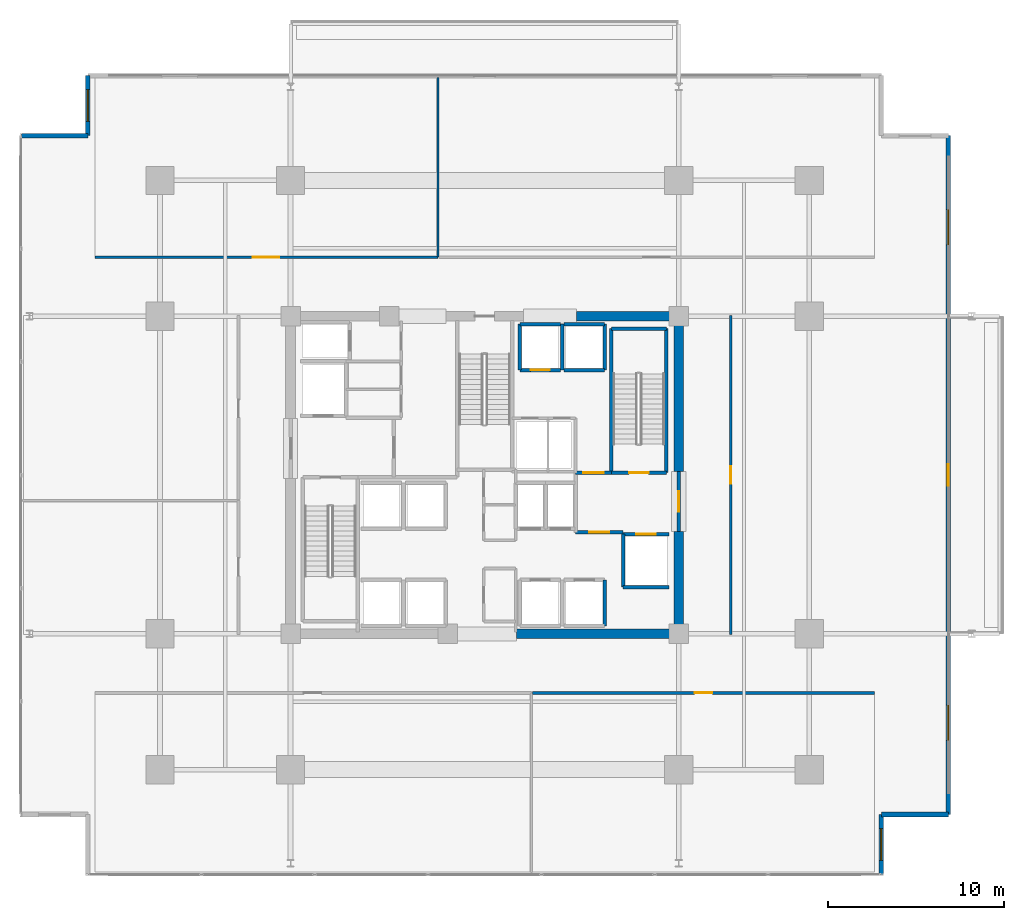
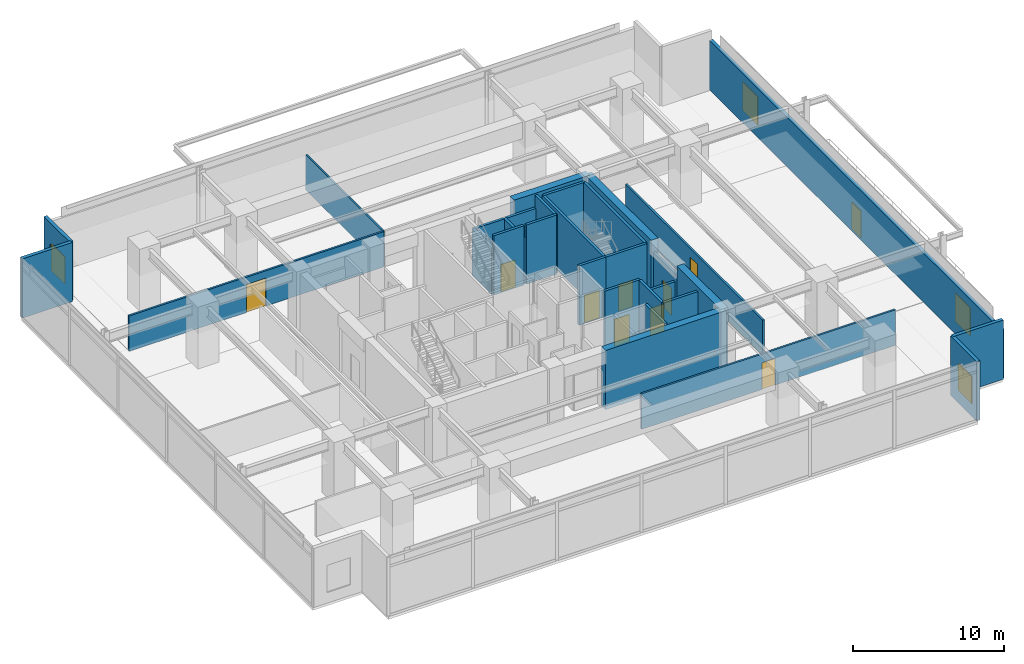
# One storey, part 14 of 20: 31 walls, 10 doors, 4 windows, 14 openings.
"""IFC4 building model written with IfcOpenShell, lengths in metres."""

import ifcopenshell
import ifcopenshell.guid

model = None  # the IFC model being written
_history = None  # IfcOwnerHistory: only IFC2X3 demands one
_inside = {}  # id of a spatial element -> (the spatial element, [elements in it])
_under = {}  # id of a project, library or spatial element -> (it, [spatial elements below it])
_declared = {}  # id of a project -> (the project, [libraries it declares])
_typed = {}  # id of a type object -> (the type object, [elements of that type])
_made_of = {}  # id of a material, layer set ... -> (it, [elements and type objects made of it])


def new_model(schema):
    """Start an empty IFC model of exactly this schema.

    Asked for "IFC4X3", IfcOpenShell would pick the latest addendum, in which some entities
    have other attributes; the version numbers below select the first issue.
    IFC2X3 requires an IfcOwnerHistory on every rooted entity: one is made here for all.
    """
    global model, _history
    if schema == "IFC4X3":
        model = ifcopenshell.file(schema_version=(4, 3, 0, 0))
    else:
        model = ifcopenshell.file(schema=schema)
    _inside.clear()
    _under.clear()
    _declared.clear()
    _typed.clear()
    _made_of.clear()
    _history = None
    if model.schema == "IFC2X3":
        org = make("IfcOrganization", Name="unknown")
        user = make(
            "IfcPersonAndOrganization",
            ThePerson=make("IfcPerson", FamilyName="unknown"),
            TheOrganization=org,
        )
        app = make(
            "IfcApplication",
            ApplicationDeveloper=org,
            Version="unknown",
            ApplicationFullName="unknown",
            ApplicationIdentifier="unknown",
        )
        _history = make(
            "IfcOwnerHistory",
            OwningUser=user,
            OwningApplication=app,
            ChangeAction="ADDED",
            CreationDate=0,
        )
    return model


def make(cls, **values):
    """One entity of the class cls with the attributes given. An attribute that is None is left unset."""
    return model.create_entity(
        cls, **{name: value for name, value in values.items() if value is not None}
    )


def rooted(cls, **values):
    """An entity with a GlobalId (a new one), such as an element, a storey or a relation."""
    return make(cls, GlobalId=ifcopenshell.guid.new(), OwnerHistory=_history, **values)


def si_unit(unit_type, name, prefix=None):
    """IfcSIUnit, for example si_unit("LENGTHUNIT", "METRE", prefix="MILLI")."""
    return make("IfcSIUnit", UnitType=unit_type, Prefix=prefix, Name=name)


def assignment(units):
    """IfcUnitAssignment: the units of a project."""
    return None if units is None else make("IfcUnitAssignment", Units=units)


def point(xyz):
    """IfcCartesianPoint."""
    return None if xyz is None else make("IfcCartesianPoint", Coordinates=xyz)


def direction(xyz):
    """IfcDirection."""
    return None if xyz is None else make("IfcDirection", DirectionRatios=xyz)


def frame(location, z_axis=None, x_axis=None):
    """IfcAxis2Placement3D, a coordinate frame: its origin and axes. An axis left out is left unset."""
    return make(
        "IfcAxis2Placement3D",
        Location=point(location),
        Axis=direction(z_axis),
        RefDirection=direction(x_axis),
    )


def frame_2d(location, x_axis=None):
    """IfcAxis2Placement2D, a coordinate frame in the plane: its origin and x axis."""
    return make(
        "IfcAxis2Placement2D", Location=point(location), RefDirection=direction(x_axis)
    )


def origin():
    """The frame at (0, 0, 0) with its axes left unset."""
    return frame((0.0, 0.0, 0.0))


def place(relative_to, where):
    """IfcLocalPlacement: puts the frame where relative to a parent placement (None: the world)."""
    return make(
        "IfcLocalPlacement", PlacementRelTo=relative_to, RelativePlacement=where
    )


def context(
    kind, dimensions, precision=None, world=None, true_north=None, identifier=None
):
    """IfcGeometricRepresentationContext, for example the 3D "Model" context."""
    return make(
        "IfcGeometricRepresentationContext",
        ContextIdentifier=identifier,
        ContextType=kind,
        CoordinateSpaceDimension=dimensions,
        Precision=precision,
        WorldCoordinateSystem=world,
        TrueNorth=true_north,
    )


def subcontext(parent, identifier, kind, view, scale=None):
    """IfcGeometricRepresentationSubContext, for example "Body" below "Model"."""
    return make(
        "IfcGeometricRepresentationSubContext",
        ContextIdentifier=identifier,
        ContextType=kind,
        ParentContext=parent,
        TargetScale=scale,
        TargetView=view,
    )


def project(units=None, contexts=None):
    """IfcProject with its units and contexts."""
    return rooted(
        "IfcProject",
        Name="project",
        RepresentationContexts=contexts,
        UnitsInContext=assignment(units),
    )


def spatial(cls, under=None, at=None, **own):
    """A site, building, storey or space (cls), placed at a placement, below another one or the project."""
    s = rooted(cls, ObjectPlacement=at, **own)
    if under is not None:
        _under.setdefault(under.id(), (under, []))[1].append(s)
    return s


def profile(cls, at=None, kind="AREA", **sizes):
    """A parametric profile (cls). Its sizes go by their IFC names, for example OverallWidth=200.0."""
    return make(cls, ProfileType=kind, Position=at, **sizes)


def rectangle(**sizes):
    """IfcRectangleProfileDef."""
    return profile("IfcRectangleProfileDef", **sizes)


def extrude(swept, where, along, depth):
    """IfcExtrudedAreaSolid: the profile swept, set in the frame where, extruded along a direction by depth."""
    return make(
        "IfcExtrudedAreaSolid",
        SweptArea=swept,
        Position=where,
        ExtrudedDirection=direction(along),
        Depth=depth,
    )


def shape(context_of_items, identifier, shape_type, items):
    """IfcShapeRepresentation: the items that make up one representation, for example the "Body"."""
    return make(
        "IfcShapeRepresentation",
        ContextOfItems=context_of_items,
        RepresentationIdentifier=identifier,
        RepresentationType=shape_type,
        Items=items,
    )


def material(Name=None, Category=None):
    """IfcMaterial."""
    return make("IfcMaterial", Name=Name, Category=Category)


def layer(
    of_material, thickness, ventilated=None, Name=None, Category=None, Priority=None
):
    """IfcMaterialLayer: one layer of a wall or slab, of a material (None: an air gap)."""
    return make(
        "IfcMaterialLayer",
        Material=of_material,
        LayerThickness=thickness,
        IsVentilated=ventilated,
        Name=Name,
        Category=Category,
        Priority=Priority,
    )


def layer_set(layers, Name=None):
    """IfcMaterialLayerSet."""
    return make("IfcMaterialLayerSet", MaterialLayers=layers, LayerSetName=Name)


def made_of(thing, what):
    """Note that an element or type object is made of a material, layer set ...; save() writes the relation."""
    if what is not None:
        _made_of.setdefault(what.id(), (what, []))[1].append(thing)
    return thing


def type_object(cls, material=None, **own):
    """A type object (cls), such as IfcWallType, which elements share."""
    return made_of(rooted(cls, **own), material)


def element(
    cls,
    number,
    at=None,
    inside=None,
    cuts=None,
    type_object=None,
    material=None,
    context=None,
    identifier="Body",
    shape_type=None,
    held_by="IfcProductDefinitionShape",
    body=None,
    shapes=None,
    **own,
):
    """One element of the class cls, such as IfcWall. Its Tag is "e" and its number.

    at: its placement. inside: the storey or other place that contains it. cuts: it is an
    opening in that element (IfcRelVoidsElement). A single representation is given by context,
    identifier, shape_type and body (its items); several are given by shapes. held_by: the class
    of the entity that holds the representations. save() writes the other relations.
    """
    e = rooted(cls, Tag="e%d" % number, ObjectPlacement=at, **own)
    if body is not None:
        shapes = [shape(context, identifier, shape_type, body)]
    if shapes is not None:
        e.Representation = make(held_by, Representations=shapes)
    if inside is not None:
        _inside.setdefault(inside.id(), (inside, []))[1].append(e)
    if cuts is not None:
        rooted(
            "IfcRelVoidsElement", RelatingBuildingElement=cuts, RelatedOpeningElement=e
        )
    if type_object is not None:
        _typed.setdefault(type_object.id(), (type_object, []))[1].append(e)
    return made_of(e, material)


def fill(opening, filler):
    """IfcRelFillsElement: the door or window that sits in an opening."""
    return rooted(
        "IfcRelFillsElement",
        RelatingOpeningElement=opening,
        RelatedBuildingElement=filler,
    )


def aggregate(whole, parts):
    """IfcRelAggregates: a whole, such as a stair, and the parts it consists of."""
    return rooted("IfcRelAggregates", RelatingObject=whole, RelatedObjects=parts)


def save(model, path):
    """Write the relations noted so far, then the file.

    IfcRelAggregates (storeys below a building ...), IfcRelContainedInSpatialStructure (elements
    in a storey), IfcRelDefinesByType, IfcRelAssociatesMaterial and IfcRelDeclares: one each for
    every whole, place, type object, material and project.
    """
    for whole, parts in _under.values():
        aggregate(whole, parts)
    for where, things in _inside.values():
        rooted(
            "IfcRelContainedInSpatialStructure",
            RelatedElements=things,
            RelatingStructure=where,
        )
    for kind, things in _typed.values():
        rooted("IfcRelDefinesByType", RelatedObjects=things, RelatingType=kind)
    for what, things in _made_of.values():
        rooted("IfcRelAssociatesMaterial", RelatedObjects=things, RelatingMaterial=what)
    for by, libraries in _declared.values():
        rooted("IfcRelDeclares", RelatingContext=by, RelatedDefinitions=libraries)
    model.write(path)


model = new_model("IFC4")

# Units and contexts
model_context = context("Model", 3, precision=1e-05, world=origin(), true_north=direction((0.0, 1.0)))
body_context = subcontext(model_context, "Body", "Model", "MODEL_VIEW")
ifc_project = project(units=[si_unit("LENGTHUNIT", "METRE"), si_unit("AREAUNIT", "SQUARE_METRE"), si_unit("VOLUMEUNIT", "CUBIC_METRE"), si_unit("PLANEANGLEUNIT", "RADIAN"), si_unit("MASSUNIT", "GRAM", prefix="KILO")], contexts=[model_context])

# Site, building, storey
site_placement = place(None, origin())
site = spatial("IfcSite", under=ifc_project, at=site_placement, CompositionType="ELEMENT")
building_placement = place(site_placement, origin())
building = spatial("IfcBuilding", under=site, at=building_placement, Name="Kovane Verandah Tower", CompositionType="ELEMENT")
storey_placement = place(building_placement, frame((0.0, 0.0, 123.39990234375)))
storey = spatial("IfcBuildingStorey", under=building, at=storey_placement, Name="L28", CompositionType="ELEMENT", Elevation=123.39990234375)

# Wall, opening, door
ifc_material_1 = material(Name="Fire-Rated Gypsum Stud Partition", Category="gypsum")
ifc_layer_1 = layer(ifc_material_1, 0.14990234375)
ifc_layer_set_1 = layer_set([ifc_layer_1], Name="Fire-Rated Gypsum Stud Partition")
wall_type_1 = type_object("IfcWallType", Name="WL-COR-150", PredefinedType="PARTITIONING", material=ifc_layer_set_1)
wall_1_placement = place(storey_placement, frame((17.915283203125, 39.85009765625, 0.0), z_axis=(0.0, 0.0, 1.0), x_axis=(1.0, 0.0, 0.0)))
wall_1 = element("IfcWall", 1, at=wall_1_placement, inside=storey, type_object=wall_type_1, Name="L28 Sky Lobby Transfer Lounge N1 Corridor Partition", PredefinedType="PARTITIONING", context=body_context, shape_type="SweptSolid", body=[
    extrude(rectangle(XDim=19.4345703125, YDim=0.14990234375, at=frame_2d((9.71728515625, 0.0))), origin(), (0.0, 0.0, 1.0), 2.85009765625),
])
opening_1_placement = place(wall_1_placement, frame((8.93212890625, 0.0, 0.0)))
opening_1 = element("IfcOpeningElement", 2, at=opening_1_placement, cuts=wall_1, Name="Opening DR-L28-016", PredefinedType="OPENING", context=body_context, shape_type="SweptSolid", body=[
    extrude(rectangle(XDim=1.5, YDim=2.25, at=frame_2d((0.75, 1.125))), frame((0.0, 0.074951171875, 0.0), z_axis=(0.0, -1.0, 0.0), x_axis=(1.0, 0.0, 0.0)), (0.0, 0.0, 1.0), 0.14990234375),
])
ifc_material_2 = material(Name="Glazed Timber Fire-Rated Double Door", Category="wood")
door_type_1 = type_object("IfcDoorType", Name="DR-CONF-1500", OperationType="DOUBLE_DOOR_SINGLE_SWING", PredefinedType="DOOR", material=ifc_material_2)
door_1_placement = place(opening_1_placement, origin())
door_1 = element("IfcDoor", 3, at=door_1_placement, inside=storey, type_object=door_type_1, Name="L28 Sky Lobby Transfer Lounge N1 Entrance Door", OperationType="DOUBLE_DOOR_SINGLE_SWING", OverallHeight=2.25, OverallWidth=1.5, PredefinedType="DOOR", context=body_context, shape_type="SweptSolid", body=[
    extrude(rectangle(XDim=1.5, YDim=2.25, at=frame_2d((0.75, 1.125))), frame((0.0, 0.02490234375, 0.0), z_axis=(0.0, -1.0, 0.0), x_axis=(1.0, 0.0, 0.0)), (0.0, 0.0, 1.0), 0.050048828125),
])
fill(opening_1, door_1)

wall_2_placement = place(storey_placement, frame((42.72021484375, 15.14990234375, 0.0), z_axis=(0.0, 0.0, 1.0), x_axis=(1.0, 0.0, 0.0)))
wall_2 = element("IfcWall", 4, at=wall_2_placement, inside=storey, type_object=wall_type_1, Name="L28 Focus Studio S2 Corridor Partition", PredefinedType="PARTITIONING", context=body_context, shape_type="SweptSolid", body=[
    extrude(rectangle(XDim=19.364501953125, YDim=0.14990234375, at=frame_2d((9.68212890625, 0.0))), origin(), (0.0, 0.0, 1.0), 2.85009765625),
])
opening_2_placement = place(wall_2_placement, frame((9.18212890625, 0.0, 0.0)))
opening_2 = element("IfcOpeningElement", 5, at=opening_2_placement, cuts=wall_2, Name="Opening DR-L28-019", PredefinedType="OPENING", context=body_context, shape_type="SweptSolid", body=[
    extrude(rectangle(XDim=1.0, YDim=2.14990234375, at=frame_2d((0.5, 1.074951171875))), frame((0.0, 0.074951171875, 0.0), z_axis=(0.0, -1.0, 0.0), x_axis=(1.0, 0.0, 0.0)), (0.0, 0.0, 1.0), 0.14990234375),
])
ifc_material_3 = material(Name="FSC Spotted-Gum Timber Fire-Rated Office Door", Category="wood")
door_type_2 = type_object("IfcDoorType", Name="DR-OFF-1000", OperationType="SINGLE_SWING_LEFT", PredefinedType="DOOR", material=ifc_material_3)
door_2_placement = place(opening_2_placement, origin())
door_2 = element("IfcDoor", 6, at=door_2_placement, inside=storey, type_object=door_type_2, Name="L28 Focus Studio S2 Entrance Door", OperationType="SINGLE_SWING_RIGHT", OverallHeight=2.14990234375, OverallWidth=1.0, PredefinedType="DOOR", context=body_context, shape_type="SweptSolid", body=[
    extrude(rectangle(XDim=1.0, YDim=2.14990234375, at=frame_2d((0.5, 1.074951171875))), frame((0.0, 0.02490234375, 0.0), z_axis=(0.0, -1.0, 0.0), x_axis=(1.0, 0.0, 0.0)), (0.0, 0.0, 1.0), 0.050048828125),
])
fill(opening_2, door_2)

wall_3_placement = place(storey_placement, frame((53.949951171875, 18.449951171875, 0.0), z_axis=(0.0, 0.0, 1.0), x_axis=(0.0, 1.0, 0.0)))
wall_3 = element("IfcWall", 7, at=wall_3_placement, inside=storey, type_object=wall_type_1, Name="L28 Document and Print Room E1 Corridor Partition", PredefinedType="PARTITIONING", context=body_context, shape_type="SweptSolid", body=[
    extrude(rectangle(XDim=18.10009765625, YDim=0.14990234375, at=frame_2d((9.050048828125, 0.0))), origin(), (0.0, 0.0, 1.0), 2.85009765625),
])
opening_3_placement = place(wall_3_placement, frame((8.550048828125, 0.0, 0.0)))
opening_3 = element("IfcOpeningElement", 8, at=opening_3_placement, cuts=wall_3, Name="Opening DR-L28-013", PredefinedType="OPENING", context=body_context, shape_type="SweptSolid", body=[
    extrude(rectangle(XDim=1.0, YDim=2.14990234375, at=frame_2d((0.5, 1.074951171875))), frame((0.0, 0.074951171875, 0.0), z_axis=(0.0, -1.0, 0.0), x_axis=(1.0, 0.0, 0.0)), (0.0, 0.0, 1.0), 0.14990234375),
])
door_3_placement = place(opening_3_placement, origin())
door_3 = element("IfcDoor", 9, at=door_3_placement, inside=storey, type_object=door_type_2, Name="L28 Document and Print Room E1 Entrance Door", OperationType="SINGLE_SWING_LEFT", OverallHeight=2.14990234375, OverallWidth=1.0, PredefinedType="DOOR", context=body_context, shape_type="SweptSolid", body=[
    extrude(rectangle(XDim=1.0, YDim=2.14990234375, at=frame_2d((0.5, 1.074951171875))), frame((0.0, 0.02490234375, 0.0), z_axis=(0.0, -1.0, 0.0), x_axis=(1.0, 0.0, 0.0)), (0.0, 0.0, 1.0), 0.050048828125),
])
fill(opening_3, door_3)

# Walls
ifc_material_4 = material(Name="Concrete C60/75", Category="concrete")
ifc_layer_2 = layer(ifc_material_4, 0.550048828125)
ifc_layer_set_2 = layer_set([ifc_layer_2], Name="Concrete C60/75")
wall_type_2 = type_object("IfcWallType", Name="WL-CORE-550", PredefinedType="SHEAR", material=ifc_layer_set_2)
wall_4_placement = place(storey_placement, frame((41.800048828125, 18.5, 0.0), z_axis=(0.0, 0.0, 1.0), x_axis=(1.0, 0.0, 0.0)))
element("IfcWall", 10, at=wall_4_placement, inside=storey, type_object=wall_type_2, Name="L28 Core Shear Wall CS-2", PredefinedType="SHEAR", context=body_context, shape_type="SweptSolid", body=[
    extrude(rectangle(XDim=9.199951171875, YDim=0.550048828125, at=frame_2d((4.60009765625, 0.0))), origin(), (0.0, 0.0, 1.0), 4.775146484375),
])
for number, where, z_axis, x_axis, name in (
    (11, (45.199951171875, 36.5, 0.0), (0.0, 0.0, 1.0), (1.0, 0.0, 0.0), "L28 Core Shear Wall CN-3"),
    (12, (51.0, 18.5, 0.0), (0.0, 0.0, 1.0), (0.0, 1.0, 0.0), "L28 Core Shear Wall CE-1"),
):
    element("IfcWall", number, at=place(storey_placement, frame(where, z_axis=z_axis, x_axis=x_axis)), inside=storey, type_object=wall_type_2, Name=name, PredefinedType="SHEAR", context=body_context, shape_type="SweptSolid", body=[
        extrude(rectangle(XDim=5.800048828125, YDim=0.550048828125, at=frame_2d((2.89990234375, 0.0))), origin(), (0.0, 0.0, 1.0), 4.775146484375),
    ])
wall_5_placement = place(storey_placement, frame((51.0, 27.699951171875, 0.0), z_axis=(0.0, 0.0, 1.0), x_axis=(0.0, 1.0, 0.0)))
element("IfcWall", 13, at=wall_5_placement, inside=storey, type_object=wall_type_2, Name="L28 Core Shear Wall CE-2", PredefinedType="SHEAR", context=body_context, shape_type="SweptSolid", body=[
    extrude(rectangle(XDim=8.800048828125, YDim=0.550048828125, at=frame_2d((4.39990234375, 0.0))), origin(), (0.0, 0.0, 1.0), 4.775146484375),
])

# Wall, opening, door
ifc_material_5 = material(Name="Concrete C45/55 Fire Wall", Category="concrete")
ifc_layer_3 = layer(ifc_material_5, 0.199951171875)
ifc_layer_set_3 = layer_set([ifc_layer_3], Name="Concrete C45/55 Fire Wall")
wall_type_3 = type_object("IfcWallType", Name="WL-FFL-200", PredefinedType="PARTITIONING", material=ifc_layer_set_3)
wall_6_placement = place(storey_placement, frame((45.14990234375, 24.25, 0.0), z_axis=(0.0, 0.0, 1.0), x_axis=(1.0, 0.0, 0.0)))
wall_6 = element("IfcWall", 14, at=wall_6_placement, inside=storey, type_object=wall_type_3, Name="W-L28-FFLE-S", PredefinedType="PARTITIONING", context=body_context, shape_type="SweptSolid", body=[
    extrude(rectangle(XDim=2.7001953125, YDim=0.199951171875, at=frame_2d((1.35009765625, 0.0))), origin(), (0.0, 0.0, 1.0), 4.775146484375),
])
opening_4_placement = place(wall_6_placement, frame((0.77490234375, 0.0, 0.0)))
opening_4 = element("IfcOpeningElement", 15, at=opening_4_placement, cuts=wall_6, Name="Opening DR-L28-003", PredefinedType="OPENING", context=body_context, shape_type="SweptSolid", body=[
    extrude(rectangle(XDim=1.14990234375, YDim=2.199951171875, at=frame_2d((0.574951171875, 1.10009765625))), frame((0.0, 0.10009765625, 0.0), z_axis=(0.0, -1.0, 0.0), x_axis=(1.0, 0.0, 0.0)), (0.0, 0.0, 1.0), 0.199951171875),
])
ifc_material_6 = material(Name="Smoke-Sealed Firefighting Lobby Door", Category="steel")
door_type_3 = type_object("IfcDoorType", Name="DR-FFL-1150", OperationType="SINGLE_SWING_LEFT", PredefinedType="DOOR", material=ifc_material_6)
door_4_placement = place(opening_4_placement, origin())
door_4 = element("IfcDoor", 16, at=door_4_placement, inside=storey, type_object=door_type_3, Name="L28 East Firefighting Lobby Inner Door", OperationType="SINGLE_SWING_RIGHT", OverallHeight=2.199951171875, OverallWidth=1.14990234375, PredefinedType="DOOR", context=body_context, shape_type="SweptSolid", body=[
    extrude(rectangle(XDim=1.14990234375, YDim=2.199951171875, at=frame_2d((0.574951171875, 1.10009765625))), frame((0.0, 0.02490234375, 0.0), z_axis=(0.0, -1.0, 0.0), x_axis=(1.0, 0.0, 0.0)), (0.0, 0.0, 1.0), 0.050048828125),
])
fill(opening_4, door_4)

wall_7_placement = place(storey_placement, frame((45.14990234375, 27.6201171875, 0.0), z_axis=(0.0, 0.0, 1.0), x_axis=(1.0, 0.0, 0.0)))
wall_7 = element("IfcWall", 17, at=wall_7_placement, inside=storey, type_object=wall_type_3, Name="W-L28-FFLE-N", PredefinedType="PARTITIONING", context=body_context, shape_type="SweptSolid", body=[
    extrude(rectangle(XDim=2.030029296875, YDim=0.199951171875, at=frame_2d((1.01513671875, 0.0))), origin(), (0.0, 0.0, 1.0), 4.775146484375),
])
opening_5_placement = place(wall_7_placement, frame((0.43994140625, 0.0, 0.0)))
opening_5 = element("IfcOpeningElement", 18, at=opening_5_placement, cuts=wall_7, Name="Opening DR-L28-004", PredefinedType="OPENING", context=body_context, shape_type="SweptSolid", body=[
    extrude(rectangle(XDim=1.14990234375, YDim=2.199951171875, at=frame_2d((0.574951171875, 1.10009765625))), frame((0.0, 0.10009765625, 0.0), z_axis=(0.0, -1.0, 0.0), x_axis=(1.0, 0.0, 0.0)), (0.0, 0.0, 1.0), 0.199951171875),
])
door_5_placement = place(opening_5_placement, origin())
door_5 = element("IfcDoor", 19, at=door_5_placement, inside=storey, type_object=door_type_3, Name="L28 East Firefighting Lobby Shuttle Link Door", OperationType="SINGLE_SWING_LEFT", OverallHeight=2.199951171875, OverallWidth=1.14990234375, PredefinedType="DOOR", context=body_context, shape_type="SweptSolid", body=[
    extrude(rectangle(XDim=1.14990234375, YDim=2.199951171875, at=frame_2d((0.574951171875, 1.10009765625))), frame((0.0, 0.02490234375, 0.0), z_axis=(0.0, -1.0, 0.0), x_axis=(1.0, 0.0, 0.0)), (0.0, 0.0, 1.0), 0.050048828125),
])
fill(opening_5, door_5)

wall_8_placement = place(storey_placement, frame((51.0, 24.300048828125, 0.0), z_axis=(0.0, 0.0, 1.0), x_axis=(0.0, 1.0, 0.0)))
wall_8 = element("IfcWall", 20, at=wall_8_placement, inside=storey, type_object=wall_type_3, Name="W-L28-FFLE-OUT", PredefinedType="PARTITIONING", context=body_context, shape_type="SweptSolid", body=[
    extrude(rectangle(XDim=3.39990234375, YDim=0.199951171875, at=frame_2d((1.699951171875, 0.0))), origin(), (0.0, 0.0, 1.0), 3.755126953125),
])
opening_6_placement = place(wall_8_placement, frame((1.125, 0.0, 0.0)))
opening_6 = element("IfcOpeningElement", 21, at=opening_6_placement, cuts=wall_8, Name="Opening DR-L28-005", PredefinedType="OPENING", context=body_context, shape_type="SweptSolid", body=[
    extrude(rectangle(XDim=1.14990234375, YDim=2.199951171875, at=frame_2d((0.574951171875, 1.10009765625))), frame((0.0, 0.10009765625, 0.0), z_axis=(0.0, -1.0, 0.0), x_axis=(1.0, 0.0, 0.0)), (0.0, 0.0, 1.0), 0.199951171875),
])
door_6_placement = place(opening_6_placement, origin())
door_6 = element("IfcDoor", 22, at=door_6_placement, inside=storey, type_object=door_type_3, Name="L28 East Firefighting Lobby Corridor Door", OperationType="SINGLE_SWING_LEFT", OverallHeight=2.199951171875, OverallWidth=1.14990234375, PredefinedType="DOOR", context=body_context, shape_type="SweptSolid", body=[
    extrude(rectangle(XDim=1.14990234375, YDim=2.199951171875, at=frame_2d((0.574951171875, 1.10009765625))), frame((0.0, 0.02490234375, 0.0), z_axis=(0.0, -1.0, 0.0), x_axis=(1.0, 0.0, 0.0)), (0.0, 0.0, 1.0), 0.050048828125),
])
fill(opening_6, door_6)

# Wall
ifc_material_7 = material(Name="Concrete C45/55 Lift Shaft Wall", Category="concrete")
ifc_layer_4 = layer(ifc_material_7, 0.199951171875)
ifc_layer_set_4 = layer_set([ifc_layer_4], Name="Concrete C45/55 Lift Shaft Wall")
wall_type_4 = type_object("IfcWallType", Name="WL-LIFT-200", PredefinedType="SOLIDWALL", material=ifc_layer_set_4)
wall_9_placement = place(storey_placement, frame((47.85009765625, 21.14990234375, 0.0), z_axis=(0.0, 0.0, 1.0), x_axis=(1.0, 0.0, 0.0)))
element("IfcWall", 23, at=wall_9_placement, inside=storey, type_object=wall_type_4, Name="L28 Lift FL-02 S Shaft Wall", PredefinedType="SOLIDWALL", context=body_context, shape_type="SweptSolid", body=[
    extrude(rectangle(XDim=2.599853515625, YDim=0.199951171875, at=frame_2d((1.2998046875, 0.0))), origin(), (0.0, 0.0, 1.0), 4.775146484375),
])

# Wall, opening, door
wall_10_placement = place(storey_placement, frame((50.449951171875, 24.14990234375, 0.0), z_axis=(0.0, 0.0, 1.0), x_axis=(-1.0, 0.0, 0.0)))
wall_10 = element("IfcWall", 24, at=wall_10_placement, inside=storey, type_object=wall_type_4, Name="L28 Lift FL-02 N Shaft Wall", PredefinedType="SOLIDWALL", context=body_context, shape_type="SweptSolid", body=[
    extrude(rectangle(XDim=2.599853515625, YDim=0.199951171875, at=frame_2d((1.2998046875, 0.0))), origin(), (0.0, 0.0, 1.0), 3.755126953125),
])
opening_7_placement = place(wall_10_placement, frame((0.75, 0.0, 0.0)))
opening_7 = element("IfcOpeningElement", 25, at=opening_7_placement, cuts=wall_10, Name="Opening LD-L28-002", PredefinedType="OPENING", context=body_context, shape_type="SweptSolid", body=[
    extrude(rectangle(XDim=1.10009765625, YDim=2.199951171875, at=frame_2d((0.550048828125, 1.10009765625))), frame((0.0, 0.10009765625, 0.0), z_axis=(0.0, -1.0, 0.0), x_axis=(1.0, 0.0, 0.0)), (0.0, 0.0, 1.0), 0.199951171875),
])
ifc_material_8 = material(Name="Brushed Stainless Steel Sliding Lift Landing Door", Category="steel")
door_type_4 = type_object("IfcDoorType", Name="DR-LIFT-1100", OperationType="SLIDING_TO_RIGHT", PredefinedType="DOOR", material=ifc_material_8)
door_7_placement = place(opening_7_placement, origin())
door_7 = element("IfcDoor", 26, at=door_7_placement, inside=storey, type_object=door_type_4, Name="L28 Lift FL-02 Sliding Landing Door", OperationType="SLIDING_TO_RIGHT", OverallHeight=2.199951171875, OverallWidth=1.10009765625, PredefinedType="DOOR", context=body_context, shape_type="SweptSolid", body=[
    extrude(rectangle(XDim=1.10009765625, YDim=2.199951171875, at=frame_2d((0.550048828125, 1.10009765625))), frame((0.0, 0.02490234375, 0.0), z_axis=(0.0, -1.0, 0.0), x_axis=(1.0, 0.0, 0.0)), (0.0, 0.0, 1.0), 0.050048828125),
])
fill(opening_7, door_7)

# Walls
wall_11_placement = place(storey_placement, frame((47.85009765625, 24.14990234375, 0.0), z_axis=(0.0, 0.0, 1.0), x_axis=(0.0, -1.0, 0.0)))
element("IfcWall", 27, at=wall_11_placement, inside=storey, type_object=wall_type_4, Name="L28 Lift FL-02 W Shaft Wall", PredefinedType="SOLIDWALL", context=body_context, shape_type="SweptSolid", body=[
    extrude(rectangle(XDim=3.0, YDim=0.199951171875, at=frame_2d((1.5, 0.0))), origin(), (0.0, 0.0, 1.0), 4.775146484375),
])
wall_12_placement = place(storey_placement, frame((46.800048828125, 18.949951171875, 0.0), z_axis=(0.0, 0.0, 1.0), x_axis=(0.0, 1.0, 0.0)))
element("IfcWall", 28, at=wall_12_placement, inside=storey, type_object=wall_type_4, Name="L28 Lift PL-M2 E Shaft Wall", PredefinedType="SOLIDWALL", context=body_context, shape_type="SweptSolid", body=[
    extrude(rectangle(XDim=2.60009765625, YDim=0.199951171875, at=frame_2d((1.300048828125, 0.0))), origin(), (0.0, 0.0, 1.0), 4.775146484375),
])

# Wall, opening, door
wall_13_placement = place(storey_placement, frame((42.0, 33.449951171875, 0.0), z_axis=(0.0, 0.0, 1.0), x_axis=(1.0, 0.0, 0.0)))
wall_13 = element("IfcWall", 29, at=wall_13_placement, inside=storey, type_object=wall_type_4, Name="L28 Lift SL-01 S Shaft Wall", PredefinedType="SOLIDWALL", context=body_context, shape_type="SweptSolid", body=[
    extrude(rectangle(XDim=2.300048828125, YDim=0.199951171875, at=frame_2d((1.14990234375, 0.0))), origin(), (0.0, 0.0, 1.0), 4.775146484375),
])
opening_8_placement = place(wall_13_placement, frame((0.60009765625, 0.0, 0.0)))
opening_8 = element("IfcOpeningElement", 30, at=opening_8_placement, cuts=wall_13, Name="Opening LD-L28-008", PredefinedType="OPENING", context=body_context, shape_type="SweptSolid", body=[
    extrude(rectangle(XDim=1.10009765625, YDim=2.199951171875, at=frame_2d((0.550048828125, 1.10009765625))), frame((0.0, 0.10009765625, 0.0), z_axis=(0.0, -1.0, 0.0), x_axis=(1.0, 0.0, 0.0)), (0.0, 0.0, 1.0), 0.199951171875),
])
door_8_placement = place(opening_8_placement, origin())
door_8 = element("IfcDoor", 31, at=door_8_placement, inside=storey, type_object=door_type_4, Name="L28 Lift SL-01 Sliding Landing Door", OperationType="SLIDING_TO_RIGHT", OverallHeight=2.199951171875, OverallWidth=1.10009765625, PredefinedType="DOOR", context=body_context, shape_type="SweptSolid", body=[
    extrude(rectangle(XDim=1.10009765625, YDim=2.199951171875, at=frame_2d((0.550048828125, 1.10009765625))), frame((0.0, 0.02490234375, 0.0), z_axis=(0.0, -1.0, 0.0), x_axis=(1.0, 0.0, 0.0)), (0.0, 0.0, 1.0), 0.050048828125),
])
fill(opening_8, door_8)

# Walls
wall_14_placement = place(storey_placement, frame((44.300048828125, 36.050048828125, 0.0), z_axis=(0.0, 0.0, 1.0), x_axis=(-1.0, 0.0, 0.0)))
element("IfcWall", 32, at=wall_14_placement, inside=storey, type_object=wall_type_4, Name="L28 Lift SL-01 N Shaft Wall", PredefinedType="SOLIDWALL", context=body_context, shape_type="SweptSolid", body=[
    extrude(rectangle(XDim=2.300048828125, YDim=0.199951171875, at=frame_2d((1.14990234375, 0.0))), origin(), (0.0, 0.0, 1.0), 3.755126953125),
])
for number, where, z_axis, x_axis, name in (
    (33, (42.0, 36.050048828125, 0.0), (0.0, 0.0, 1.0), (0.0, -1.0, 0.0), "L28 Lift SL-01 W Shaft Wall"),
    (34, (44.39990234375, 33.449951171875, 0.0), (0.0, 0.0, 1.0), (0.0, 1.0, 0.0), "L28 Lift OL-01 and SL-01 Shared Shaft Wall"),
):
    element("IfcWall", number, at=place(storey_placement, frame(where, z_axis=z_axis, x_axis=x_axis)), inside=storey, type_object=wall_type_4, Name=name, PredefinedType="SOLIDWALL", context=body_context, shape_type="SweptSolid", body=[
        extrude(rectangle(XDim=2.60009765625, YDim=0.199951171875, at=frame_2d((1.300048828125, 0.0))), origin(), (0.0, 0.0, 1.0), 3.755126953125),
    ])
wall_15_placement = place(storey_placement, frame((44.5, 33.449951171875, 0.0), z_axis=(0.0, 0.0, 1.0), x_axis=(1.0, 0.0, 0.0)))
element("IfcWall", 35, at=wall_15_placement, inside=storey, type_object=wall_type_4, Name="L28 Lift OL-01 S Shaft Wall", PredefinedType="SOLIDWALL", context=body_context, shape_type="SweptSolid", body=[
    extrude(rectangle(XDim=2.300048828125, YDim=0.199951171875, at=frame_2d((1.14990234375, 0.0))), origin(), (0.0, 0.0, 1.0), 4.775146484375),
])
wall_16_placement = place(storey_placement, frame((46.800048828125, 36.050048828125, 0.0), z_axis=(0.0, 0.0, 1.0), x_axis=(-1.0, 0.0, 0.0)))
element("IfcWall", 36, at=wall_16_placement, inside=storey, type_object=wall_type_4, Name="L28 Lift OL-01 N Shaft Wall", PredefinedType="SOLIDWALL", context=body_context, shape_type="SweptSolid", body=[
    extrude(rectangle(XDim=2.300048828125, YDim=0.199951171875, at=frame_2d((1.14990234375, 0.0))), origin(), (0.0, 0.0, 1.0), 3.755126953125),
])
wall_17_placement = place(storey_placement, frame((46.800048828125, 33.449951171875, 0.0), z_axis=(0.0, 0.0, 1.0), x_axis=(0.0, 1.0, 0.0)))
element("IfcWall", 37, at=wall_17_placement, inside=storey, type_object=wall_type_4, Name="L28 Lift OL-01 E Shaft Wall", PredefinedType="SOLIDWALL", context=body_context, shape_type="SweptSolid", body=[
    extrude(rectangle(XDim=2.60009765625, YDim=0.199951171875, at=frame_2d((1.300048828125, 0.0))), origin(), (0.0, 0.0, 1.0), 4.775146484375),
])
ifc_material_9 = material(Name="Acoustic Fire-Rated Gypsum Partition", Category="gypsum")
ifc_layer_5 = layer(ifc_material_9, 0.1201171875)
ifc_layer_set_5 = layer_set([ifc_layer_5], Name="Acoustic Fire-Rated Gypsum Partition")
wall_type_5 = type_object("IfcWallType", Name="WL-PART-120", PredefinedType="PARTITIONING", material=ifc_layer_set_5)
wall_18_placement = place(storey_placement, frame((37.349853515625, 39.85009765625, 0.0), z_axis=(0.0, 0.0, 1.0), x_axis=(0.0, 1.0, 0.0)))
element("IfcWall", 38, at=wall_18_placement, inside=storey, type_object=wall_type_5, Name="L28 Sky Lobby Transfer Lounge N1 Dividing Partition", PredefinedType="PARTITIONING", context=body_context, shape_type="SweptSolid", body=[
    extrude(rectangle(XDim=10.189208984375, YDim=0.1201171875, at=frame_2d((5.0947265625, 0.0))), origin(), (0.0, 0.0, 1.0), 2.85009765625),
])
ifc_material_10 = material(Name="Concrete C45/55", Category="concrete")
ifc_layer_6 = layer(ifc_material_10, 0.199951171875)
ifc_layer_set_6 = layer_set([ifc_layer_6], Name="Concrete C45/55")
wall_type_6 = type_object("IfcWallType", Name="WL-SHAFT-200", PredefinedType="SOLIDWALL", material=ifc_layer_set_6)
wall_19_placement = place(storey_placement, frame((50.300048828125, 27.64990234375, 0.0), z_axis=(0.0, 0.0, 1.0), x_axis=(0.0, 1.0, 0.0)))
element("IfcWall", 39, at=wall_19_placement, inside=storey, type_object=wall_type_6, Name="W-L28-ST02-E", PredefinedType="SOLIDWALL", context=body_context, shape_type="SweptSolid", body=[
    extrude(rectangle(XDim=8.150146484375, YDim=0.199951171875, at=frame_2d((4.0751953125, 0.0))), origin(), (0.0, 0.0, 1.0), 4.775146484375),
])
wall_20_placement = place(storey_placement, frame((47.179931640625, 35.800048828125, 0.0), z_axis=(0.0, 0.0, 1.0), x_axis=(1.0, 0.0, 0.0)))
element("IfcWall", 40, at=wall_20_placement, inside=storey, type_object=wall_type_6, Name="W-L28-ST02-N", PredefinedType="SOLIDWALL", context=body_context, shape_type="SweptSolid", body=[
    extrude(rectangle(XDim=3.1201171875, YDim=0.199951171875, at=frame_2d((1.56005859375, 0.0))), origin(), (0.0, 0.0, 1.0), 4.775146484375),
])
wall_21_placement = place(storey_placement, frame((47.179931640625, 27.6201171875, 0.0), z_axis=(0.0, 0.0, 1.0), x_axis=(0.0, 1.0, 0.0)))
element("IfcWall", 41, at=wall_21_placement, inside=storey, type_object=wall_type_6, Name="W-L28-ST02-W", PredefinedType="SOLIDWALL", context=body_context, shape_type="SweptSolid", body=[
    extrude(rectangle(XDim=8.179931640625, YDim=0.199951171875, at=frame_2d((4.08984375, 0.0))), origin(), (0.0, 0.0, 1.0), 4.775146484375),
])

# Wall, opening, door
wall_22_placement = place(storey_placement, frame((47.179931640625, 27.6201171875, 0.0), z_axis=(0.0, 0.0, 1.0), x_axis=(1.0, 0.0, 0.0)))
wall_22 = element("IfcWall", 42, at=wall_22_placement, inside=storey, type_object=wall_type_6, Name="W-L28-ST02-S", PredefinedType="SOLIDWALL", context=body_context, shape_type="SweptSolid", body=[
    extrude(rectangle(XDim=3.1201171875, YDim=0.199951171875, at=frame_2d((1.56005859375, 0.0))), origin(), (0.0, 0.0, 1.0), 4.775146484375),
])
opening_9_placement = place(wall_22_placement, frame((1.010009765625, 0.0, 0.0)))
opening_9 = element("IfcOpeningElement", 43, at=opening_9_placement, cuts=wall_22, Name="Opening DR-L28-010", PredefinedType="OPENING", context=body_context, shape_type="SweptSolid", body=[
    extrude(rectangle(XDim=1.10009765625, YDim=2.14990234375, at=frame_2d((0.550048828125, 1.074951171875))), frame((0.0, 0.10009765625, 0.0), z_axis=(0.0, -1.0, 0.0), x_axis=(1.0, 0.0, 0.0)), (0.0, 0.0, 1.0), 0.199951171875),
])
ifc_material_11 = material(Name="Fire-Rated Steel Exit Door", Category="steel")
door_type_5 = type_object("IfcDoorType", Name="DR-STAIR-1100", OperationType="SINGLE_SWING_LEFT", PredefinedType="DOOR", material=ifc_material_11)
door_9_placement = place(opening_9_placement, origin())
door_9 = element("IfcDoor", 44, at=door_9_placement, inside=storey, type_object=door_type_5, Name="L28 ST-02 Fire Exit Stair Door", OperationType="SINGLE_SWING_LEFT", OverallHeight=2.14990234375, OverallWidth=1.10009765625, PredefinedType="DOOR", context=body_context, shape_type="SweptSolid", body=[
    extrude(rectangle(XDim=1.10009765625, YDim=2.14990234375, at=frame_2d((0.550048828125, 1.074951171875))), frame((0.0, 0.02490234375, 0.0), z_axis=(0.0, -1.0, 0.0), x_axis=(1.0, 0.0, 0.0)), (0.0, 0.0, 1.0), 0.050048828125),
])
fill(opening_9, door_9)

# Wall, openings, door, windows
ifc_material_12 = material(Name="Concrete C45/55 Insulated Spandrel Wall", Category="concrete")
ifc_layer_7 = layer(ifc_material_12, 0.260009765625)
ifc_layer_set_7 = layer_set([ifc_layer_7], Name="Concrete C45/55 Insulated Spandrel Wall")
wall_type_7 = type_object("IfcWallType", Name="WL-SPANDREL-260", PredefinedType="PARAPET", material=ifc_layer_set_7)
wall_23_placement = place(storey_placement, frame((66.28466796875, 8.2607421875, 0.0), z_axis=(0.0, 0.0, 1.0), x_axis=(0.0, 1.0, 0.0)))
wall_23 = element("IfcWall", 45, at=wall_23_placement, inside=storey, type_object=wall_type_7, Name="L28 E Verandah Access Facade Wall", PredefinedType="PARAPET", context=body_context, shape_type="SweptSolid", body=[
    extrude(rectangle(XDim=38.478515625, YDim=0.260009765625, at=frame_2d((19.2392578125, 0.0))), origin(), (0.0, 0.0, 1.0), 3.97021484375),
])
opening_10_placement = place(wall_23_placement, frame((4.199951171875, 0.0, 0.85009765625)))
opening_10 = element("IfcOpeningElement", 46, at=opening_10_placement, cuts=wall_23, Name="Opening W-04", PredefinedType="OPENING", context=body_context, shape_type="SweptSolid", body=[
    extrude(rectangle(XDim=2.0, YDim=2.300048828125, at=frame_2d((1.0, 1.14990234375))), frame((0.0, 0.1298828125, 0.0), z_axis=(0.0, -1.0, 0.0), x_axis=(1.0, 0.0, 0.0)), (0.0, 0.0, 1.0), 0.260009765625),
])
opening_11_placement = place(wall_23_placement, frame((18.63916015625, 0.0, 0.0)))
opening_11 = element("IfcOpeningElement", 47, at=opening_11_placement, cuts=wall_23, Name="Opening DR-L28-001", PredefinedType="OPENING", context=body_context, shape_type="SweptSolid", body=[
    extrude(rectangle(XDim=1.199951171875, YDim=2.199951171875, at=frame_2d((0.60009765625, 1.10009765625))), frame((0.0, 0.1298828125, 0.0), z_axis=(0.0, -1.0, 0.0), x_axis=(1.0, 0.0, 0.0)), (0.0, 0.0, 1.0), 0.260009765625),
])
opening_12_placement = place(wall_23_placement, frame((32.2783203125, 0.0, 0.85009765625)))
opening_12 = element("IfcOpeningElement", 48, at=opening_12_placement, cuts=wall_23, Name="Opening W-04", PredefinedType="OPENING", context=body_context, shape_type="SweptSolid", body=[
    extrude(rectangle(XDim=2.0, YDim=2.300048828125, at=frame_2d((1.0, 1.14990234375))), frame((0.0, 0.1298828125, 0.0), z_axis=(0.0, -1.0, 0.0), x_axis=(1.0, 0.0, 0.0)), (0.0, 0.0, 1.0), 0.260009765625),
])
ifc_material_13 = material(Name="Cyclone-Rated Glazed Balcony Leaf Door", Category="aluminium")
door_type_6 = type_object("IfcDoorType", Name="DR-BAL-1200x2200", OperationType="SINGLE_SWING_LEFT", PredefinedType="DOOR", material=ifc_material_13)
door_10_placement = place(opening_11_placement, origin())
door_10 = element("IfcDoor", 49, at=door_10_placement, inside=storey, type_object=door_type_6, Name="L28 E Planted Balcony Access Door", OperationType="SINGLE_SWING_LEFT", OverallHeight=2.199951171875, OverallWidth=1.199951171875, PredefinedType="DOOR", context=body_context, shape_type="SweptSolid", body=[
    extrude(rectangle(XDim=1.199951171875, YDim=2.199951171875, at=frame_2d((0.60009765625, 1.10009765625))), frame((0.0, 0.02490234375, 0.0), z_axis=(0.0, -1.0, 0.0), x_axis=(1.0, 0.0, 0.0)), (0.0, 0.0, 1.0), 0.050048828125),
])
fill(opening_11, door_10)
ifc_material_14 = material(Name="Clear Low-E Laminated Double Glazing in Anodised Frame", Category="glass")
window_type_1 = type_object("IfcWindowType", Name="WN-FIXED-2000x2300", PartitioningType="SINGLE_PANEL", PredefinedType="WINDOW", material=ifc_material_14)
window_1_placement = place(opening_10_placement, origin())
window_1 = element("IfcWindow", 50, at=window_1_placement, inside=storey, type_object=window_type_1, Name="L28 E Verandah View Window 1", OverallHeight=2.300048828125, OverallWidth=2.0, PartitioningType="SINGLE_PANEL", PredefinedType="WINDOW", context=body_context, shape_type="SweptSolid", body=[
    extrude(rectangle(XDim=2.0, YDim=2.300048828125, at=frame_2d((1.0, 1.14990234375))), frame((0.0, 0.030029296875, 0.0), z_axis=(0.0, -1.0, 0.0), x_axis=(1.0, 0.0, 0.0)), (0.0, 0.0, 1.0), 0.06005859375),
])
fill(opening_10, window_1)
window_2_placement = place(opening_12_placement, origin())
window_2 = element("IfcWindow", 51, at=window_2_placement, inside=storey, type_object=window_type_1, Name="L28 E Verandah View Window 2", OverallHeight=2.300048828125, OverallWidth=2.0, PartitioningType="SINGLE_PANEL", PredefinedType="WINDOW", context=body_context, shape_type="SweptSolid", body=[
    extrude(rectangle(XDim=2.0, YDim=2.300048828125, at=frame_2d((1.0, 1.14990234375))), frame((0.0, 0.030029296875, 0.0), z_axis=(0.0, -1.0, 0.0), x_axis=(1.0, 0.0, 0.0)), (0.0, 0.0, 1.0), 0.06005859375),
])
fill(opening_12, window_2)

# Wall, opening, window
wall_24_placement = place(storey_placement, frame((62.484619140625, 4.86083984375, 0.0), z_axis=(0.0, 0.0, 1.0), x_axis=(0.0, 1.0, 0.0)))
wall_24 = element("IfcWall", 52, at=wall_24_placement, inside=storey, type_object=wall_type_7, Name="L28 SE Notch Cheek Wall 1", PredefinedType="PARAPET", context=body_context, shape_type="SweptSolid", body=[
    extrude(rectangle(XDim=3.39990234375, YDim=0.260009765625, at=frame_2d((1.699951171875, 0.0))), origin(), (0.0, 0.0, 1.0), 4.775146484375),
])
opening_13_placement = place(wall_24_placement, frame((0.800048828125, 0.0, 0.85009765625)))
opening_13 = element("IfcOpeningElement", 53, at=opening_13_placement, cuts=wall_24, Name="Opening W-03", PredefinedType="OPENING", context=body_context, shape_type="SweptSolid", body=[
    extrude(rectangle(XDim=1.800048828125, YDim=2.199951171875, at=frame_2d((0.89990234375, 1.10009765625))), frame((0.0, 0.1298828125, 0.0), z_axis=(0.0, -1.0, 0.0), x_axis=(1.0, 0.0, 0.0)), (0.0, 0.0, 1.0), 0.260009765625),
])
window_type_2 = type_object("IfcWindowType", Name="WN-NOTCH-1800x2200", PartitioningType="SINGLE_PANEL", PredefinedType="WINDOW", material=ifc_material_14)
window_3_placement = place(opening_13_placement, origin())
window_3 = element("IfcWindow", 54, at=window_3_placement, inside=storey, type_object=window_type_2, Name="L28 SE Re-Entrant Corner Operable Window", OverallHeight=2.199951171875, OverallWidth=1.800048828125, PartitioningType="SINGLE_PANEL", PredefinedType="WINDOW", context=body_context, shape_type="SweptSolid", body=[
    extrude(rectangle(XDim=1.800048828125, YDim=2.199951171875, at=frame_2d((0.89990234375, 1.10009765625))), frame((0.0, 0.030029296875, 0.0), z_axis=(0.0, -1.0, 0.0), x_axis=(1.0, 0.0, 0.0)), (0.0, 0.0, 1.0), 0.06005859375),
])
fill(opening_13, window_3)

# Wall
wall_25_placement = place(storey_placement, frame((62.484619140625, 8.2607421875, 0.0), z_axis=(0.0, 0.0, 1.0), x_axis=(1.0, 0.0, 0.0)))
element("IfcWall", 55, at=wall_25_placement, inside=storey, type_object=wall_type_7, Name="L28 SE Notch Cheek Wall 2", PredefinedType="PARAPET", context=body_context, shape_type="SweptSolid", body=[
    extrude(rectangle(XDim=3.800048828125, YDim=0.260009765625, at=frame_2d((1.89990234375, 0.0))), origin(), (0.0, 0.0, 1.0), 4.775146484375),
])

# Wall, opening, window
wall_26_placement = place(storey_placement, frame((17.515380859375, 50.13916015625, 0.0), z_axis=(0.0, 0.0, 1.0), x_axis=(0.0, -1.0, 0.0)))
wall_26 = element("IfcWall", 56, at=wall_26_placement, inside=storey, type_object=wall_type_7, Name="L28 NW Notch Cheek Wall 1", PredefinedType="PARAPET", context=body_context, shape_type="SweptSolid", body=[
    extrude(rectangle(XDim=3.39990234375, YDim=0.260009765625, at=frame_2d((1.699951171875, 0.0))), origin(), (0.0, 0.0, 1.0), 4.775146484375),
])
opening_14_placement = place(wall_26_placement, frame((0.800048828125, 0.0, 0.85009765625)))
opening_14 = element("IfcOpeningElement", 57, at=opening_14_placement, cuts=wall_26, Name="Opening W-03", PredefinedType="OPENING", context=body_context, shape_type="SweptSolid", body=[
    extrude(rectangle(XDim=1.800048828125, YDim=2.199951171875, at=frame_2d((0.89990234375, 1.10009765625))), frame((0.0, 0.1298828125, 0.0), z_axis=(0.0, -1.0, 0.0), x_axis=(1.0, 0.0, 0.0)), (0.0, 0.0, 1.0), 0.260009765625),
])
window_4_placement = place(opening_14_placement, origin())
window_4 = element("IfcWindow", 58, at=window_4_placement, inside=storey, type_object=window_type_2, Name="L28 NW Re-Entrant Corner Operable Window", OverallHeight=2.199951171875, OverallWidth=1.800048828125, PartitioningType="SINGLE_PANEL", PredefinedType="WINDOW", context=body_context, shape_type="SweptSolid", body=[
    extrude(rectangle(XDim=1.800048828125, YDim=2.199951171875, at=frame_2d((0.89990234375, 1.10009765625))), frame((0.0, 0.030029296875, 0.0), z_axis=(0.0, -1.0, 0.0), x_axis=(1.0, 0.0, 0.0)), (0.0, 0.0, 1.0), 0.06005859375),
])
fill(opening_14, window_4)

# Wall
wall_27_placement = place(storey_placement, frame((17.515380859375, 46.7392578125, 0.0), z_axis=(0.0, 0.0, 1.0), x_axis=(-1.0, 0.0, 0.0)))
element("IfcWall", 59, at=wall_27_placement, inside=storey, type_object=wall_type_7, Name="L28 NW Notch Cheek Wall 2", PredefinedType="PARAPET", context=body_context, shape_type="SweptSolid", body=[
    extrude(rectangle(XDim=3.800048828125, YDim=0.260009765625, at=frame_2d((1.89990234375, 0.0))), origin(), (0.0, 0.0, 1.0), 4.775146484375),
])

save(model, "model.ifc")
